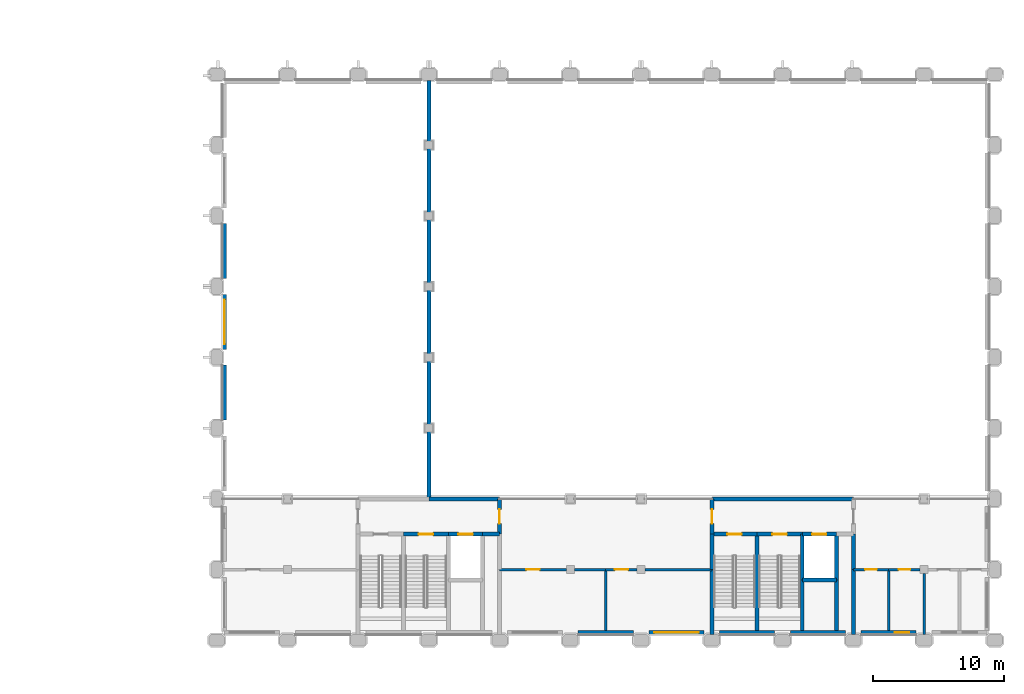
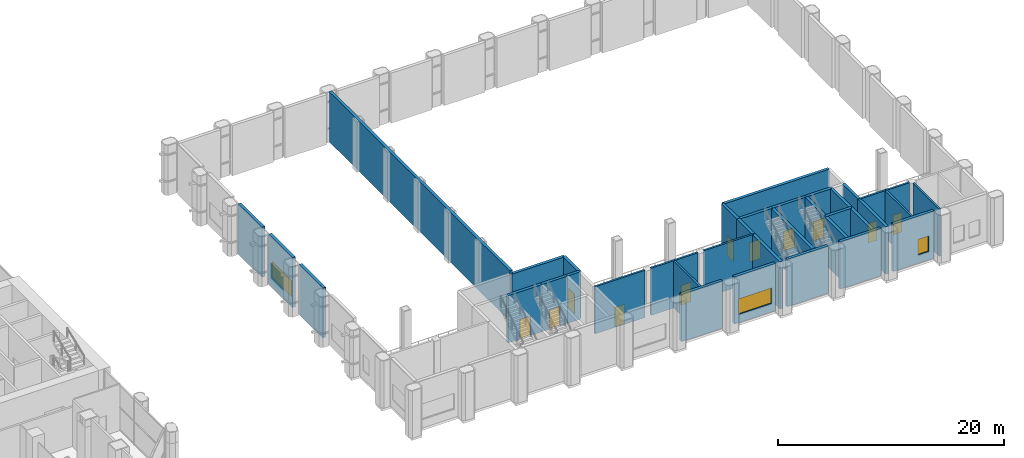
# One storey, part 15 of 27: 38 walls, 11 doors, 3 windows, 14 openings.
"""IFC4 building model written with IfcOpenShell, lengths in metres."""

from ifc_helpers import new_model, si_unit, direction, frame, frame_2d, origin, place, context, subcontext, project, spatial, rectangle, extrude, material, layer, layer_set, type_object, element, fill, save


model = new_model("IFC4")

# Units and contexts
model_context = context("Model", 3, precision=1e-05, world=origin(), true_north=direction((0.0, 1.0)))
body_context = subcontext(model_context, "Body", "Model", "MODEL_VIEW")
ifc_project = project(units=[si_unit("LENGTHUNIT", "METRE"), si_unit("AREAUNIT", "SQUARE_METRE"), si_unit("VOLUMEUNIT", "CUBIC_METRE"), si_unit("PLANEANGLEUNIT", "RADIAN"), si_unit("MASSUNIT", "GRAM", prefix="KILO")], contexts=[model_context])

# Site, building, storey
site_placement = place(None, origin())
site = spatial("IfcSite", under=ifc_project, at=site_placement, CompositionType="ELEMENT")
building_placement = place(site_placement, origin())
building = spatial("IfcBuilding", under=site, at=building_placement, Name="Tabaq Tower and Sports Hall", CompositionType="ELEMENT")
storey_placement = place(building_placement, frame((0.0, 0.0, 14.39990234375)))
storey = spatial("IfcBuildingStorey", under=building, at=storey_placement, Name="L02", CompositionType="ELEMENT", Elevation=14.39990234375)

# Wall, opening, door
ifc_material_1 = material(Name="Concrete C50/60", Category="concrete")
ifc_layer_1 = layer(ifc_material_1, 0.300048828125)
ifc_layer_set_1 = layer_set([ifc_layer_1], Name="HALL CORE WALL RC 300 C50/60")
wall_type_1 = type_object("IfcWallType", Name="HALL CORE WALL RC 300 C50/60", PredefinedType="SHEAR", material=ifc_layer_set_1)
wall_1_placement = place(storey_placement, frame((86.39990234375, 8.10009765625, 0.0), z_axis=(0.0, 0.0, 1.0), x_axis=(0.0, 1.0, 0.0)))
wall_1 = element("IfcWall", 1, at=wall_1_placement, inside=storey, type_object=wall_type_1, Name="L02 core wall 010", PredefinedType="SHEAR", context=body_context, shape_type="SweptSolid", body=[
    extrude(rectangle(XDim=2.699951171875, YDim=0.300048828125, at=frame_2d((1.35009765625, 0.0))), origin(), (0.0, 0.0, 1.0), 5.10009765625),
])
opening_1_placement = place(wall_1_placement, frame((0.800048828125, 0.0, 0.0)))
opening_1 = element("IfcOpeningElement", 2, at=opening_1_placement, cuts=wall_1, Name="Opening HD056", PredefinedType="OPENING", context=body_context, shape_type="SweptSolid", body=[
    extrude(rectangle(XDim=1.10009765625, YDim=2.10009765625, at=frame_2d((0.550048828125, 1.050048828125))), frame((0.0, 0.14990234375, 0.0), z_axis=(0.0, -1.0, 0.0), x_axis=(1.0, 0.0, 0.0)), (0.0, 0.0, 1.0), 0.300048828125),
])
ifc_material_2 = material(Name="Steel fire door leaf in steel frame", Category="steel")
door_type_1 = type_object("IfcDoorType", Name="HALL FIRE DOOR 1100x2100", OperationType="SINGLE_SWING_LEFT", PredefinedType="DOOR", material=ifc_material_2)
door_1_placement = place(opening_1_placement, origin())
door_1 = element("IfcDoor", 3, at=door_1_placement, inside=storey, type_object=door_type_1, Name="Door HD056", OperationType="SINGLE_SWING_LEFT", OverallHeight=2.10009765625, OverallWidth=1.10009765625, PredefinedType="DOOR", context=body_context, shape_type="SweptSolid", body=[
    extrude(rectangle(XDim=1.10009765625, YDim=2.10009765625, at=frame_2d((0.550048828125, 1.050048828125))), frame((0.0, 0.02490234375, 0.0), z_axis=(0.0, -1.0, 0.0), x_axis=(1.0, 0.0, 0.0)), (0.0, 0.0, 1.0), 0.050048828125),
])
fill(opening_1, door_1)

# Wall
wall_2_placement = place(storey_placement, frame((102.60009765625, 5.39990234375, 0.0), z_axis=(0.0, 0.0, 1.0), x_axis=(0.0, 1.0, 0.0)))
element("IfcWall", 4, at=wall_2_placement, inside=storey, type_object=wall_type_1, Name="L02 core wall 011", PredefinedType="SHEAR", context=body_context, shape_type="SweptSolid", body=[
    extrude(rectangle(XDim=2.7001953125, YDim=0.300048828125, at=frame_2d((1.35009765625, 0.0))), origin(), (0.0, 0.0, 1.0), 5.10009765625),
])

# Wall, opening, door
wall_3_placement = place(storey_placement, frame((102.60009765625, 8.10009765625, 0.0), z_axis=(0.0, 0.0, 1.0), x_axis=(0.0, 1.0, 0.0)))
wall_3 = element("IfcWall", 5, at=wall_3_placement, inside=storey, type_object=wall_type_1, Name="L02 core wall 012", PredefinedType="SHEAR", context=body_context, shape_type="SweptSolid", body=[
    extrude(rectangle(XDim=2.699951171875, YDim=0.300048828125, at=frame_2d((1.35009765625, 0.0))), origin(), (0.0, 0.0, 1.0), 5.10009765625),
])
opening_2_placement = place(wall_3_placement, frame((0.800048828125, 0.0, 0.0)))
opening_2 = element("IfcOpeningElement", 6, at=opening_2_placement, cuts=wall_3, Name="Opening HD057", PredefinedType="OPENING", context=body_context, shape_type="SweptSolid", body=[
    extrude(rectangle(XDim=1.10009765625, YDim=2.10009765625, at=frame_2d((0.550048828125, 1.050048828125))), frame((0.0, 0.14990234375, 0.0), z_axis=(0.0, -1.0, 0.0), x_axis=(1.0, 0.0, 0.0)), (0.0, 0.0, 1.0), 0.300048828125),
])
door_2_placement = place(opening_2_placement, origin())
door_2 = element("IfcDoor", 7, at=door_2_placement, inside=storey, type_object=door_type_1, Name="Door HD057", OperationType="SINGLE_SWING_LEFT", OverallHeight=2.10009765625, OverallWidth=1.10009765625, PredefinedType="DOOR", context=body_context, shape_type="SweptSolid", body=[
    extrude(rectangle(XDim=1.10009765625, YDim=2.10009765625, at=frame_2d((0.550048828125, 1.050048828125))), frame((0.0, 0.02490234375, 0.0), z_axis=(0.0, -1.0, 0.0), x_axis=(1.0, 0.0, 0.0)), (0.0, 0.0, 1.0), 0.050048828125),
])
fill(opening_2, door_2)

# Walls
wall_4_placement = place(storey_placement, frame((113.39990234375, 5.39990234375, 0.0), z_axis=(0.0, 0.0, 1.0), x_axis=(0.0, 1.0, 0.0)))
element("IfcWall", 8, at=wall_4_placement, inside=storey, type_object=wall_type_1, Name="L02 core wall 017", PredefinedType="SHEAR", context=body_context, shape_type="SweptSolid", body=[
    extrude(rectangle(XDim=2.7001953125, YDim=0.300048828125, at=frame_2d((1.35009765625, 0.0))), origin(), (0.0, 0.0, 1.0), 5.10009765625),
])
for number, where, z_axis, x_axis, name in (
    (9, (102.60009765625, 0.449951171875, 0.0), (0.0, 0.0, 1.0), (0.0, 1.0, 0.0), "L02 core wall 022"),
    (10, (113.39990234375, 0.449951171875, 0.0), (0.0, 0.0, 1.0), (0.0, 1.0, 0.0), "L02 core wall 024"),
):
    element("IfcWall", number, at=place(storey_placement, frame(where, z_axis=z_axis, x_axis=x_axis)), inside=storey, type_object=wall_type_1, Name=name, PredefinedType="SHEAR", context=body_context, shape_type="SweptSolid", body=[
        extrude(rectangle(XDim=4.949951171875, YDim=0.300048828125, at=frame_2d((2.47509765625, 0.0))), origin(), (0.0, 0.0, 1.0), 5.10009765625),
    ])

# Wall, opening, door
wall_5_placement = place(storey_placement, frame((79.050048828125, 8.10009765625, 0.0), z_axis=(0.0, 0.0, 1.0), x_axis=(1.0, 0.0, 0.0)))
wall_5 = element("IfcWall", 11, at=wall_5_placement, inside=storey, type_object=wall_type_1, Name="L02 core wall 031", PredefinedType="SHEAR", context=body_context, shape_type="SweptSolid", body=[
    extrude(rectangle(XDim=3.449951171875, YDim=0.300048828125, at=frame_2d((1.72509765625, 0.0))), origin(), (0.0, 0.0, 1.0), 5.10009765625),
])
opening_3_placement = place(wall_5_placement, frame((1.175048828125, 0.0, 0.0)))
opening_3 = element("IfcOpeningElement", 12, at=opening_3_placement, cuts=wall_5, Name="Opening HD067", PredefinedType="OPENING", context=body_context, shape_type="SweptSolid", body=[
    extrude(rectangle(XDim=1.10009765625, YDim=2.10009765625, at=frame_2d((0.550048828125, 1.050048828125))), frame((0.0, 0.14990234375, 0.0), z_axis=(0.0, -1.0, 0.0), x_axis=(1.0, 0.0, 0.0)), (0.0, 0.0, 1.0), 0.300048828125),
])
door_3_placement = place(opening_3_placement, origin())
door_3 = element("IfcDoor", 13, at=door_3_placement, inside=storey, type_object=door_type_1, Name="Door HD067", OperationType="SINGLE_SWING_LEFT", OverallHeight=2.10009765625, OverallWidth=1.10009765625, PredefinedType="DOOR", context=body_context, shape_type="SweptSolid", body=[
    extrude(rectangle(XDim=1.10009765625, YDim=2.10009765625, at=frame_2d((0.550048828125, 1.050048828125))), frame((0.0, 0.02490234375, 0.0), z_axis=(0.0, -1.0, 0.0), x_axis=(1.0, 0.0, 0.0)), (0.0, 0.0, 1.0), 0.050048828125),
])
fill(opening_3, door_3)

wall_6_placement = place(storey_placement, frame((82.5, 8.10009765625, 0.0), z_axis=(0.0, 0.0, 1.0), x_axis=(1.0, 0.0, 0.0)))
wall_6 = element("IfcWall", 14, at=wall_6_placement, inside=storey, type_object=wall_type_1, Name="L02 core wall 034", PredefinedType="SHEAR", context=body_context, shape_type="SweptSolid", body=[
    extrude(rectangle(XDim=2.60009765625, YDim=0.300048828125, at=frame_2d((1.300048828125, 0.0))), origin(), (0.0, 0.0, 1.0), 5.10009765625),
])
opening_4_placement = place(wall_6_placement, frame((0.75, 0.0, 0.0)))
opening_4 = element("IfcOpeningElement", 15, at=opening_4_placement, cuts=wall_6, Name="Opening LDA-L02", PredefinedType="OPENING", context=body_context, shape_type="SweptSolid", body=[
    extrude(rectangle(XDim=1.10009765625, YDim=2.10009765625, at=frame_2d((0.550048828125, 1.050048828125))), frame((0.0, 0.14990234375, 0.0), z_axis=(0.0, -1.0, 0.0), x_axis=(1.0, 0.0, 0.0)), (0.0, 0.0, 1.0), 0.300048828125),
])
ifc_material_3 = material(Name="Stainless steel landing door panels", Category="steel")
door_type_2 = type_object("IfcDoorType", Name="HALL LIFT LANDING DOOR 1100x2100", OperationType="SLIDING_TO_LEFT", PredefinedType="DOOR", material=ifc_material_3)
door_4_placement = place(opening_4_placement, origin())
door_4 = element("IfcDoor", 16, at=door_4_placement, inside=storey, type_object=door_type_2, Name="Door LDA-L02", OperationType="SLIDING_TO_LEFT", OverallHeight=2.10009765625, OverallWidth=1.10009765625, PredefinedType="DOOR", context=body_context, shape_type="SweptSolid", body=[
    extrude(rectangle(XDim=1.10009765625, YDim=2.10009765625, at=frame_2d((0.550048828125, 1.050048828125))), frame((0.0, 0.02490234375, 0.0), z_axis=(0.0, -1.0, 0.0), x_axis=(1.0, 0.0, 0.0)), (0.0, 0.0, 1.0), 0.050048828125),
])
fill(opening_4, door_4)

# Walls
wall_7_placement = place(storey_placement, frame((85.10009765625, 8.10009765625, 0.0), z_axis=(0.0, 0.0, 1.0), x_axis=(1.0, 0.0, 0.0)))
element("IfcWall", 17, at=wall_7_placement, inside=storey, type_object=wall_type_1, Name="L02 core wall 036", PredefinedType="SHEAR", context=body_context, shape_type="SweptSolid", body=[
    extrude(rectangle(XDim=1.2998046875, YDim=0.300048828125, at=frame_2d((0.64990234375, 0.0))), origin(), (0.0, 0.0, 1.0), 5.10009765625),
])
wall_8_placement = place(storey_placement, frame((81.0, 10.800048828125, 0.0), z_axis=(0.0, 0.0, 1.0), x_axis=(1.0, 0.0, 0.0)))
element("IfcWall", 18, at=wall_8_placement, inside=storey, type_object=wall_type_1, Name="L02 core wall 037", PredefinedType="SHEAR", context=body_context, shape_type="SweptSolid", body=[
    extrude(rectangle(XDim=5.39990234375, YDim=0.300048828125, at=frame_2d((2.699951171875, 0.0))), origin(), (0.0, 0.0, 1.0), 5.10009765625),
])
wall_9_placement = place(storey_placement, frame((106.050048828125, 0.75, 0.0), z_axis=(0.0, 0.0, 1.0), x_axis=(0.0, 1.0, 0.0)))
element("IfcWall", 19, at=wall_9_placement, inside=storey, type_object=wall_type_1, Name="L02 core wall 039", PredefinedType="SHEAR", context=body_context, shape_type="SweptSolid", body=[
    extrude(rectangle(XDim=7.35009765625, YDim=0.300048828125, at=frame_2d((3.675048828125, 0.0))), origin(), (0.0, 0.0, 1.0), 5.10009765625),
])

# Wall, opening, door
wall_10_placement = place(storey_placement, frame((102.60009765625, 8.10009765625, 0.0), z_axis=(0.0, 0.0, 1.0), x_axis=(1.0, 0.0, 0.0)))
wall_10 = element("IfcWall", 20, at=wall_10_placement, inside=storey, type_object=wall_type_1, Name="L02 core wall 040", PredefinedType="SHEAR", context=body_context, shape_type="SweptSolid", body=[
    extrude(rectangle(XDim=3.449951171875, YDim=0.300048828125, at=frame_2d((1.72509765625, 0.0))), origin(), (0.0, 0.0, 1.0), 5.10009765625),
])
opening_5_placement = place(wall_10_placement, frame((1.175048828125, 0.0, 0.0)))
opening_5 = element("IfcOpeningElement", 21, at=opening_5_placement, cuts=wall_10, Name="Opening HD068", PredefinedType="OPENING", context=body_context, shape_type="SweptSolid", body=[
    extrude(rectangle(XDim=1.10009765625, YDim=2.10009765625, at=frame_2d((0.550048828125, 1.050048828125))), frame((0.0, 0.14990234375, 0.0), z_axis=(0.0, -1.0, 0.0), x_axis=(1.0, 0.0, 0.0)), (0.0, 0.0, 1.0), 0.300048828125),
])
door_5_placement = place(opening_5_placement, origin())
door_5 = element("IfcDoor", 22, at=door_5_placement, inside=storey, type_object=door_type_1, Name="Door HD068", OperationType="SINGLE_SWING_LEFT", OverallHeight=2.10009765625, OverallWidth=1.10009765625, PredefinedType="DOOR", context=body_context, shape_type="SweptSolid", body=[
    extrude(rectangle(XDim=1.10009765625, YDim=2.10009765625, at=frame_2d((0.550048828125, 1.050048828125))), frame((0.0, 0.02490234375, 0.0), z_axis=(0.0, -1.0, 0.0), x_axis=(1.0, 0.0, 0.0)), (0.0, 0.0, 1.0), 0.050048828125),
])
fill(opening_5, door_5)

# Walls
wall_11_placement = place(storey_placement, frame((109.5, 4.60009765625, 0.0), z_axis=(0.0, 0.0, 1.0), x_axis=(0.0, 1.0, 0.0)))
element("IfcWall", 23, at=wall_11_placement, inside=storey, type_object=wall_type_1, Name="L02 core wall 041", PredefinedType="SHEAR", context=body_context, shape_type="SweptSolid", body=[
    extrude(rectangle(XDim=3.5, YDim=0.300048828125, at=frame_2d((1.75, 0.0))), origin(), (0.0, 0.0, 1.0), 5.10009765625),
])
wall_12_placement = place(storey_placement, frame((109.5, 0.75, 0.0), z_axis=(0.0, 0.0, 1.0), x_axis=(0.0, 1.0, 0.0)))
element("IfcWall", 24, at=wall_12_placement, inside=storey, type_object=wall_type_1, Name="L02 core wall 042", PredefinedType="SHEAR", context=body_context, shape_type="SweptSolid", body=[
    extrude(rectangle(XDim=3.85009765625, YDim=0.300048828125, at=frame_2d((1.925048828125, 0.0))), origin(), (0.0, 0.0, 1.0), 5.10009765625),
])

# Wall, opening, door
wall_13_placement = place(storey_placement, frame((106.050048828125, 8.10009765625, 0.0), z_axis=(0.0, 0.0, 1.0), x_axis=(1.0, 0.0, 0.0)))
wall_13 = element("IfcWall", 25, at=wall_13_placement, inside=storey, type_object=wall_type_1, Name="L02 core wall 043", PredefinedType="SHEAR", context=body_context, shape_type="SweptSolid", body=[
    extrude(rectangle(XDim=3.449951171875, YDim=0.300048828125, at=frame_2d((1.72509765625, 0.0))), origin(), (0.0, 0.0, 1.0), 5.10009765625),
])
opening_6_placement = place(wall_13_placement, frame((1.175048828125, 0.0, 0.0)))
opening_6 = element("IfcOpeningElement", 26, at=opening_6_placement, cuts=wall_13, Name="Opening HD069", PredefinedType="OPENING", context=body_context, shape_type="SweptSolid", body=[
    extrude(rectangle(XDim=1.10009765625, YDim=2.10009765625, at=frame_2d((0.550048828125, 1.050048828125))), frame((0.0, 0.14990234375, 0.0), z_axis=(0.0, -1.0, 0.0), x_axis=(1.0, 0.0, 0.0)), (0.0, 0.0, 1.0), 0.300048828125),
])
door_6_placement = place(opening_6_placement, origin())
door_6 = element("IfcDoor", 27, at=door_6_placement, inside=storey, type_object=door_type_1, Name="Door HD069", OperationType="SINGLE_SWING_LEFT", OverallHeight=2.10009765625, OverallWidth=1.10009765625, PredefinedType="DOOR", context=body_context, shape_type="SweptSolid", body=[
    extrude(rectangle(XDim=1.10009765625, YDim=2.10009765625, at=frame_2d((0.550048828125, 1.050048828125))), frame((0.0, 0.02490234375, 0.0), z_axis=(0.0, -1.0, 0.0), x_axis=(1.0, 0.0, 0.0)), (0.0, 0.0, 1.0), 0.050048828125),
])
fill(opening_6, door_6)

# Walls
wall_14_placement = place(storey_placement, frame((109.5, 4.60009765625, 0.0), z_axis=(0.0, 0.0, 1.0), x_axis=(1.0, 0.0, 0.0)))
element("IfcWall", 28, at=wall_14_placement, inside=storey, type_object=wall_type_1, Name="L02 core wall 044", PredefinedType="SHEAR", context=body_context, shape_type="SweptSolid", body=[
    extrude(rectangle(XDim=2.60009765625, YDim=0.300048828125, at=frame_2d((1.300048828125, 0.0))), origin(), (0.0, 0.0, 1.0), 5.10009765625),
])
wall_15_placement = place(storey_placement, frame((112.10009765625, 4.60009765625, 0.0), z_axis=(0.0, 0.0, 1.0), x_axis=(0.0, 1.0, 0.0)))
element("IfcWall", 29, at=wall_15_placement, inside=storey, type_object=wall_type_1, Name="L02 core wall 045", PredefinedType="SHEAR", context=body_context, shape_type="SweptSolid", body=[
    extrude(rectangle(XDim=3.5, YDim=0.300048828125, at=frame_2d((1.75, 0.0))), origin(), (0.0, 0.0, 1.0), 5.10009765625),
])

# Wall, opening, door
wall_16_placement = place(storey_placement, frame((109.5, 8.10009765625, 0.0), z_axis=(0.0, 0.0, 1.0), x_axis=(1.0, 0.0, 0.0)))
wall_16 = element("IfcWall", 30, at=wall_16_placement, inside=storey, type_object=wall_type_1, Name="L02 core wall 046", PredefinedType="SHEAR", context=body_context, shape_type="SweptSolid", body=[
    extrude(rectangle(XDim=2.60009765625, YDim=0.300048828125, at=frame_2d((1.300048828125, 0.0))), origin(), (0.0, 0.0, 1.0), 5.10009765625),
])
opening_7_placement = place(wall_16_placement, frame((0.75, 0.0, 0.0)))
opening_7 = element("IfcOpeningElement", 31, at=opening_7_placement, cuts=wall_16, Name="Opening LDB-L02", PredefinedType="OPENING", context=body_context, shape_type="SweptSolid", body=[
    extrude(rectangle(XDim=1.10009765625, YDim=2.10009765625, at=frame_2d((0.550048828125, 1.050048828125))), frame((0.0, 0.14990234375, 0.0), z_axis=(0.0, -1.0, 0.0), x_axis=(1.0, 0.0, 0.0)), (0.0, 0.0, 1.0), 0.300048828125),
])
door_7_placement = place(opening_7_placement, origin())
door_7 = element("IfcDoor", 32, at=door_7_placement, inside=storey, type_object=door_type_2, Name="Door LDB-L02", OperationType="SLIDING_TO_LEFT", OverallHeight=2.10009765625, OverallWidth=1.10009765625, PredefinedType="DOOR", context=body_context, shape_type="SweptSolid", body=[
    extrude(rectangle(XDim=1.10009765625, YDim=2.10009765625, at=frame_2d((0.550048828125, 1.050048828125))), frame((0.0, 0.02490234375, 0.0), z_axis=(0.0, -1.0, 0.0), x_axis=(1.0, 0.0, 0.0)), (0.0, 0.0, 1.0), 0.050048828125),
])
fill(opening_7, door_7)

# Walls
wall_17_placement = place(storey_placement, frame((112.10009765625, 0.75, 0.0), z_axis=(0.0, 0.0, 1.0), x_axis=(0.0, 1.0, 0.0)))
element("IfcWall", 33, at=wall_17_placement, inside=storey, type_object=wall_type_1, Name="L02 core wall 047", PredefinedType="SHEAR", context=body_context, shape_type="SweptSolid", body=[
    extrude(rectangle(XDim=3.85009765625, YDim=0.300048828125, at=frame_2d((1.925048828125, 0.0))), origin(), (0.0, 0.0, 1.0), 5.10009765625),
])
wall_18_placement = place(storey_placement, frame((102.60009765625, 10.800048828125, 0.0), z_axis=(0.0, 0.0, 1.0), x_axis=(1.0, 0.0, 0.0)))
element("IfcWall", 34, at=wall_18_placement, inside=storey, type_object=wall_type_1, Name="L02 core wall 049", PredefinedType="SHEAR", context=body_context, shape_type="SweptSolid", body=[
    extrude(rectangle(XDim=10.7998046875, YDim=0.300048828125, at=frame_2d((5.39990234375, 0.0))), origin(), (0.0, 0.0, 1.0), 5.10009765625),
])
wall_19_placement = place(storey_placement, frame((81.0, 10.800048828125, 0.0), z_axis=(0.0, 0.0, 1.0), x_axis=(0.0, 1.0, 0.0)))
element("IfcWall", 35, at=wall_19_placement, inside=storey, type_object=wall_type_1, Name="L02 partition 050", PredefinedType="SHEAR", context=body_context, shape_type="SweptSolid", body=[
    extrude(rectangle(XDim=31.949951171875, YDim=0.300048828125, at=frame_2d((15.97509765625, 0.0))), origin(), (0.0, 0.0, 1.0), 5.400146484375),
])

# Wall, opening, door
ifc_material_4 = material(Name="Blockwork partition with plaster both faces", Category="masonry")
ifc_layer_2 = layer(ifc_material_4, 0.199951171875)
ifc_layer_set_2 = layer_set([ifc_layer_2], Name="HALL PARTITION 200")
wall_type_2 = type_object("IfcWallType", Name="HALL PARTITION 200", PredefinedType="PARTITIONING", material=ifc_layer_set_2)
wall_20_placement = place(storey_placement, frame((86.39990234375, 5.39990234375, 0.0), z_axis=(0.0, 0.0, 1.0), x_axis=(1.0, 0.0, 0.0)))
wall_20 = element("IfcWall", 36, at=wall_20_placement, inside=storey, type_object=wall_type_2, Name="L02 partition 005", PredefinedType="PARTITIONING", context=body_context, shape_type="SweptSolid", body=[
    extrude(rectangle(XDim=5.10009765625, YDim=0.199951171875, at=frame_2d((2.550048828125, 0.0))), origin(), (0.0, 0.0, 1.0), 5.10009765625),
])
opening_8_placement = place(wall_20_placement, frame((2.050048828125, 0.0, 0.0)))
opening_8 = element("IfcOpeningElement", 37, at=opening_8_placement, cuts=wall_20, Name="Opening HD060", PredefinedType="OPENING", context=body_context, shape_type="SweptSolid", body=[
    extrude(rectangle(XDim=1.0, YDim=2.10009765625, at=frame_2d((0.5, 1.050048828125))), frame((0.0, 0.10009765625, 0.0), z_axis=(0.0, -1.0, 0.0), x_axis=(1.0, 0.0, 0.0)), (0.0, 0.0, 1.0), 0.199951171875),
])
ifc_material_5 = material(Name="Timber veneer door leaf in steel frame", Category="steel")
door_type_3 = type_object("IfcDoorType", Name="HALL DOOR SINGLE 1000x2100", OperationType="SINGLE_SWING_LEFT", PredefinedType="DOOR", material=ifc_material_5)
door_8_placement = place(opening_8_placement, origin())
door_8 = element("IfcDoor", 38, at=door_8_placement, inside=storey, type_object=door_type_3, Name="Door HD060", OperationType="SINGLE_SWING_LEFT", OverallHeight=2.10009765625, OverallWidth=1.0, PredefinedType="DOOR", context=body_context, shape_type="SweptSolid", body=[
    extrude(rectangle(XDim=1.0, YDim=2.10009765625, at=frame_2d((0.5, 1.050048828125))), frame((0.0, 0.02490234375, 0.0), z_axis=(0.0, -1.0, 0.0), x_axis=(1.0, 0.0, 0.0)), (0.0, 0.0, 1.0), 0.050048828125),
])
fill(opening_8, door_8)

# Wall
wall_21_placement = place(storey_placement, frame((92.10009765625, 5.39990234375, 0.0), z_axis=(0.0, 0.0, 1.0), x_axis=(1.0, 0.0, 0.0)))
element("IfcWall", 39, at=wall_21_placement, inside=storey, type_object=wall_type_2, Name="L02 partition 006", PredefinedType="PARTITIONING", context=body_context, shape_type="SweptSolid", body=[
    extrude(rectangle(XDim=2.39990234375, YDim=0.199951171875, at=frame_2d((1.199951171875, 0.0))), origin(), (0.0, 0.0, 1.0), 5.10009765625),
])

# Wall, opening, door
wall_22_placement = place(storey_placement, frame((94.5, 5.39990234375, 0.0), z_axis=(0.0, 0.0, 1.0), x_axis=(1.0, 0.0, 0.0)))
wall_22 = element("IfcWall", 40, at=wall_22_placement, inside=storey, type_object=wall_type_2, Name="L02 partition 007", PredefinedType="PARTITIONING", context=body_context, shape_type="SweptSolid", body=[
    extrude(rectangle(XDim=2.39990234375, YDim=0.199951171875, at=frame_2d((1.199951171875, 0.0))), origin(), (0.0, 0.0, 1.0), 5.10009765625),
])
opening_9_placement = place(wall_22_placement, frame((0.699951171875, 0.0, 0.0)))
opening_9 = element("IfcOpeningElement", 41, at=opening_9_placement, cuts=wall_22, Name="Opening HD061", PredefinedType="OPENING", context=body_context, shape_type="SweptSolid", body=[
    extrude(rectangle(XDim=1.0, YDim=2.10009765625, at=frame_2d((0.5, 1.050048828125))), frame((0.0, 0.10009765625, 0.0), z_axis=(0.0, -1.0, 0.0), x_axis=(1.0, 0.0, 0.0)), (0.0, 0.0, 1.0), 0.199951171875),
])
door_9_placement = place(opening_9_placement, origin())
door_9 = element("IfcDoor", 42, at=door_9_placement, inside=storey, type_object=door_type_3, Name="Door HD061", OperationType="SINGLE_SWING_LEFT", OverallHeight=2.10009765625, OverallWidth=1.0, PredefinedType="DOOR", context=body_context, shape_type="SweptSolid", body=[
    extrude(rectangle(XDim=1.0, YDim=2.10009765625, at=frame_2d((0.5, 1.050048828125))), frame((0.0, 0.02490234375, 0.0), z_axis=(0.0, -1.0, 0.0), x_axis=(1.0, 0.0, 0.0)), (0.0, 0.0, 1.0), 0.050048828125),
])
fill(opening_9, door_9)

# Wall
wall_23_placement = place(storey_placement, frame((97.5, 5.39990234375, 0.0), z_axis=(0.0, 0.0, 1.0), x_axis=(1.0, 0.0, 0.0)))
element("IfcWall", 43, at=wall_23_placement, inside=storey, type_object=wall_type_2, Name="L02 partition 008", PredefinedType="PARTITIONING", context=body_context, shape_type="SweptSolid", body=[
    extrude(rectangle(XDim=5.10009765625, YDim=0.199951171875, at=frame_2d((2.550048828125, 0.0))), origin(), (0.0, 0.0, 1.0), 5.10009765625),
])

# Wall, opening, door
wall_24_placement = place(storey_placement, frame((113.39990234375, 5.39990234375, 0.0), z_axis=(0.0, 0.0, 1.0), x_axis=(1.0, 0.0, 0.0)))
wall_24 = element("IfcWall", 44, at=wall_24_placement, inside=storey, type_object=wall_type_2, Name="L02 partition 013", PredefinedType="PARTITIONING", context=body_context, shape_type="SweptSolid", body=[
    extrude(rectangle(XDim=2.7001953125, YDim=0.199951171875, at=frame_2d((1.35009765625, 0.0))), origin(), (0.0, 0.0, 1.0), 5.10009765625),
])
opening_10_placement = place(wall_24_placement, frame((0.89990234375, 0.0, 0.0)))
opening_10 = element("IfcOpeningElement", 45, at=opening_10_placement, cuts=wall_24, Name="Opening HD062", PredefinedType="OPENING", context=body_context, shape_type="SweptSolid", body=[
    extrude(rectangle(XDim=0.89990234375, YDim=2.10009765625, at=frame_2d((0.449951171875, 1.050048828125))), frame((0.0, 0.10009765625, 0.0), z_axis=(0.0, -1.0, 0.0), x_axis=(1.0, 0.0, 0.0)), (0.0, 0.0, 1.0), 0.199951171875),
])
ifc_material_6 = material(Name="Timber veneer door leaf in steel frame", Category="steel")
door_type_4 = type_object("IfcDoorType", Name="HALL DOOR SINGLE 900x2100", OperationType="SINGLE_SWING_LEFT", PredefinedType="DOOR", material=ifc_material_6)
door_10_placement = place(opening_10_placement, origin())
door_10 = element("IfcDoor", 46, at=door_10_placement, inside=storey, type_object=door_type_4, Name="Door HD062", OperationType="SINGLE_SWING_LEFT", OverallHeight=2.10009765625, OverallWidth=0.89990234375, PredefinedType="DOOR", context=body_context, shape_type="SweptSolid", body=[
    extrude(rectangle(XDim=0.89990234375, YDim=2.10009765625, at=frame_2d((0.449951171875, 1.050048828125))), frame((0.0, 0.02490234375, 0.0), z_axis=(0.0, -1.0, 0.0), x_axis=(1.0, 0.0, 0.0)), (0.0, 0.0, 1.0), 0.050048828125),
])
fill(opening_10, door_10)

wall_25_placement = place(storey_placement, frame((116.10009765625, 5.39990234375, 0.0), z_axis=(0.0, 0.0, 1.0), x_axis=(1.0, 0.0, 0.0)))
wall_25 = element("IfcWall", 47, at=wall_25_placement, inside=storey, type_object=wall_type_2, Name="L02 partition 014", PredefinedType="PARTITIONING", context=body_context, shape_type="SweptSolid", body=[
    extrude(rectangle(XDim=2.39990234375, YDim=0.199951171875, at=frame_2d((1.199951171875, 0.0))), origin(), (0.0, 0.0, 1.0), 5.10009765625),
])
opening_11_placement = place(wall_25_placement, frame((0.75, 0.0, 0.0)))
opening_11 = element("IfcOpeningElement", 48, at=opening_11_placement, cuts=wall_25, Name="Opening HD063", PredefinedType="OPENING", context=body_context, shape_type="SweptSolid", body=[
    extrude(rectangle(XDim=0.89990234375, YDim=2.10009765625, at=frame_2d((0.449951171875, 1.050048828125))), frame((0.0, 0.10009765625, 0.0), z_axis=(0.0, -1.0, 0.0), x_axis=(1.0, 0.0, 0.0)), (0.0, 0.0, 1.0), 0.199951171875),
])
door_11_placement = place(opening_11_placement, origin())
door_11 = element("IfcDoor", 49, at=door_11_placement, inside=storey, type_object=door_type_4, Name="Door HD063", OperationType="SINGLE_SWING_LEFT", OverallHeight=2.10009765625, OverallWidth=0.89990234375, PredefinedType="DOOR", context=body_context, shape_type="SweptSolid", body=[
    extrude(rectangle(XDim=0.89990234375, YDim=2.10009765625, at=frame_2d((0.449951171875, 1.050048828125))), frame((0.0, 0.02490234375, 0.0), z_axis=(0.0, -1.0, 0.0), x_axis=(1.0, 0.0, 0.0)), (0.0, 0.0, 1.0), 0.050048828125),
])
fill(opening_11, door_11)

# Walls
for number, where, z_axis, x_axis, name in (
    (50, (94.5, 0.75, 0.0), (0.0, 0.0, 1.0), (0.0, 1.0, 0.0), "L02 partition 020"),
    (51, (116.10009765625, 0.75, 0.0), (0.0, 0.0, 1.0), (0.0, 1.0, 0.0), "L02 partition 023"),
):
    element("IfcWall", number, at=place(storey_placement, frame(where, z_axis=z_axis, x_axis=x_axis)), inside=storey, type_object=wall_type_2, Name=name, PredefinedType="PARTITIONING", context=body_context, shape_type="SweptSolid", body=[
        extrude(rectangle(XDim=4.64990234375, YDim=0.199951171875, at=frame_2d((2.324951171875, 0.0))), origin(), (0.0, 0.0, 1.0), 5.10009765625),
    ])
wall_26_placement = place(storey_placement, frame((118.800048828125, 0.449951171875, 0.0), z_axis=(0.0, 0.0, 1.0), x_axis=(0.0, 1.0, 0.0)))
element("IfcWall", 52, at=wall_26_placement, inside=storey, type_object=wall_type_2, Name="L02 partition 025", PredefinedType="PARTITIONING", context=body_context, shape_type="SweptSolid", body=[
    extrude(rectangle(XDim=4.650146484375, YDim=0.199951171875, at=frame_2d((2.3251953125, 0.0))), origin(), (0.0, 0.0, 1.0), 5.10009765625),
])
ifc_material_7 = material(Name="White precast concrete C60/75", Category="concrete")
ifc_layer_3 = layer(ifc_material_7, 0.300048828125)
ifc_layer_set_3 = layer_set([ifc_layer_3], Name="White precast concrete C60/75 external wall 300")
wall_type_3 = type_object("IfcWallType", Name="White precast concrete C60/75 external wall 300", PredefinedType="SOLIDWALL", material=ifc_layer_set_3)
wall_27_placement = place(storey_placement, frame((92.39990234375, 0.60009765625, 0.0), z_axis=(0.0, 0.0, 1.0), x_axis=(1.0, 0.0, 0.0)))
element("IfcWall", 53, at=wall_27_placement, inside=storey, type_object=wall_type_3, Name="L02 S facade panel", PredefinedType="SOLIDWALL", context=body_context, shape_type="SweptSolid", body=[
    extrude(rectangle(XDim=4.2001953125, YDim=0.300048828125, at=frame_2d((2.10009765625, 0.0))), origin(), (0.0, 0.0, 1.0), 5.10009765625),
])

# Wall, opening, window
wall_28_placement = place(storey_placement, frame((97.800048828125, 0.60009765625, 0.0), z_axis=(0.0, 0.0, 1.0), x_axis=(1.0, 0.0, 0.0)))
wall_28 = element("IfcWall", 54, at=wall_28_placement, inside=storey, type_object=wall_type_3, Name="L02 S facade panel", PredefinedType="SOLIDWALL", context=body_context, shape_type="SweptSolid", body=[
    extrude(rectangle(XDim=4.199951171875, YDim=0.300048828125, at=frame_2d((2.10009765625, 0.0))), origin(), (0.0, 0.0, 1.0), 5.10009765625),
])
opening_12_placement = place(wall_28_placement, frame((0.39990234375, 0.0, 0.89990234375)))
opening_12 = element("IfcOpeningElement", 55, at=opening_12_placement, cuts=wall_28, Name="Opening HW011", PredefinedType="OPENING", context=body_context, shape_type="SweptSolid", body=[
    extrude(rectangle(XDim=3.39990234375, YDim=1.699951171875, at=frame_2d((1.699951171875, 0.85009765625))), frame((0.0, 0.14990234375, 0.0), z_axis=(0.0, -1.0, 0.0), x_axis=(1.0, 0.0, 0.0)), (0.0, 0.0, 1.0), 0.300048828125),
])
ifc_material_8 = material(Name="Aluminium framed clear glazing", Category="aluminium")
window_type_1 = type_object("IfcWindowType", Name="Window W1A", PartitioningType="SINGLE_PANEL", PredefinedType="WINDOW", material=ifc_material_8)
window_1_placement = place(opening_12_placement, origin())
window_1 = element("IfcWindow", 56, at=window_1_placement, inside=storey, type_object=window_type_1, Name="Window HW011", OverallHeight=1.699951171875, OverallWidth=3.39990234375, PartitioningType="SINGLE_PANEL", PredefinedType="WINDOW", context=body_context, shape_type="SweptSolid", body=[
    extrude(rectangle(XDim=3.39990234375, YDim=1.699951171875, at=frame_2d((1.699951171875, 0.85009765625))), frame((0.0, 0.030029296875, 0.0), z_axis=(0.0, -1.0, 0.0), x_axis=(1.0, 0.0, 0.0)), (0.0, 0.0, 1.0), 0.06005859375),
])
fill(opening_12, window_1)

# Walls
for number, where, z_axis, x_axis, name in (
    (57, (103.199951171875, 0.60009765625, 0.0), (0.0, 0.0, 1.0), (1.0, 0.0, 0.0), "L02 S facade panel"),
    (58, (108.60009765625, 0.60009765625, 0.0), (0.0, 0.0, 1.0), (1.0, 0.0, 0.0), "L02 S facade panel"),
):
    element("IfcWall", number, at=place(storey_placement, frame(where, z_axis=z_axis, x_axis=x_axis)), inside=storey, type_object=wall_type_3, Name=name, PredefinedType="SOLIDWALL", context=body_context, shape_type="SweptSolid", body=[
        extrude(rectangle(XDim=4.199951171875, YDim=0.300048828125, at=frame_2d((2.10009765625, 0.0))), origin(), (0.0, 0.0, 1.0), 5.10009765625),
    ])

# Wall, opening, window
wall_29_placement = place(storey_placement, frame((114.0, 0.60009765625, 0.0), z_axis=(0.0, 0.0, 1.0), x_axis=(1.0, 0.0, 0.0)))
wall_29 = element("IfcWall", 59, at=wall_29_placement, inside=storey, type_object=wall_type_3, Name="L02 S facade panel", PredefinedType="SOLIDWALL", context=body_context, shape_type="SweptSolid", body=[
    extrude(rectangle(XDim=4.199951171875, YDim=0.300048828125, at=frame_2d((2.10009765625, 0.0))), origin(), (0.0, 0.0, 1.0), 5.10009765625),
])
opening_13_placement = place(wall_29_placement, frame((2.550048828125, 0.0, 0.89990234375)))
opening_13 = element("IfcOpeningElement", 60, at=opening_13_placement, cuts=wall_29, Name="Opening HW016", PredefinedType="OPENING", context=body_context, shape_type="SweptSolid", body=[
    extrude(rectangle(XDim=1.10009765625, YDim=1.699951171875, at=frame_2d((0.550048828125, 0.85009765625))), frame((0.0, 0.14990234375, 0.0), z_axis=(0.0, -1.0, 0.0), x_axis=(1.0, 0.0, 0.0)), (0.0, 0.0, 1.0), 0.300048828125),
])
ifc_material_9 = material(Name="Aluminium framed clear glazing", Category="aluminium")
window_type_2 = type_object("IfcWindowType", Name="Window W1B", PartitioningType="SINGLE_PANEL", PredefinedType="WINDOW", material=ifc_material_9)
window_2_placement = place(opening_13_placement, origin())
window_2 = element("IfcWindow", 61, at=window_2_placement, inside=storey, type_object=window_type_2, Name="Window HW016", OverallHeight=1.699951171875, OverallWidth=1.10009765625, PartitioningType="SINGLE_PANEL", PredefinedType="WINDOW", context=body_context, shape_type="SweptSolid", body=[
    extrude(rectangle(XDim=1.10009765625, YDim=1.699951171875, at=frame_2d((0.550048828125, 0.85009765625))), frame((0.0, 0.030029296875, 0.0), z_axis=(0.0, -1.0, 0.0), x_axis=(1.0, 0.0, 0.0)), (0.0, 0.0, 1.0), 0.06005859375),
])
fill(opening_13, window_2)

# Wall
wall_30_placement = place(storey_placement, frame((65.39990234375, 16.800048828125, 0.0), z_axis=(0.0, 0.0, 1.0), x_axis=(0.0, 1.0, 0.0)))
element("IfcWall", 62, at=wall_30_placement, inside=storey, type_object=wall_type_3, Name="L02 W facade panel", PredefinedType="SOLIDWALL", context=body_context, shape_type="SweptSolid", body=[
    extrude(rectangle(XDim=4.199951171875, YDim=0.300048828125, at=frame_2d((2.10009765625, 0.0))), origin(), (0.0, 0.0, 1.0), 5.400146484375),
])

# Wall, opening, window
wall_31_placement = place(storey_placement, frame((65.39990234375, 22.199951171875, 0.0), z_axis=(0.0, 0.0, 1.0), x_axis=(0.0, 1.0, 0.0)))
wall_31 = element("IfcWall", 63, at=wall_31_placement, inside=storey, type_object=wall_type_3, Name="L02 W facade panel", PredefinedType="SOLIDWALL", context=body_context, shape_type="SweptSolid", body=[
    extrude(rectangle(XDim=4.199951171875, YDim=0.300048828125, at=frame_2d((2.10009765625, 0.0))), origin(), (0.0, 0.0, 1.0), 5.400146484375),
])
opening_14_placement = place(wall_31_placement, frame((0.39990234375, 0.0, 0.89990234375)))
opening_14 = element("IfcOpeningElement", 64, at=opening_14_placement, cuts=wall_31, Name="Opening HW034", PredefinedType="OPENING", context=body_context, shape_type="SweptSolid", body=[
    extrude(rectangle(XDim=3.39990234375, YDim=1.699951171875, at=frame_2d((1.699951171875, 0.85009765625))), frame((0.0, 0.14990234375, 0.0), z_axis=(0.0, -1.0, 0.0), x_axis=(1.0, 0.0, 0.0)), (0.0, 0.0, 1.0), 0.300048828125),
])
window_3_placement = place(opening_14_placement, origin())
window_3 = element("IfcWindow", 65, at=window_3_placement, inside=storey, type_object=window_type_1, Name="Window HW034", OverallHeight=1.699951171875, OverallWidth=3.39990234375, PartitioningType="SINGLE_PANEL", PredefinedType="WINDOW", context=body_context, shape_type="SweptSolid", body=[
    extrude(rectangle(XDim=3.39990234375, YDim=1.699951171875, at=frame_2d((1.699951171875, 0.85009765625))), frame((0.0, 0.030029296875, 0.0), z_axis=(0.0, -1.0, 0.0), x_axis=(1.0, 0.0, 0.0)), (0.0, 0.0, 1.0), 0.06005859375),
])
fill(opening_14, window_3)

# Wall
wall_32_placement = place(storey_placement, frame((65.39990234375, 27.60009765625, 0.0), z_axis=(0.0, 0.0, 1.0), x_axis=(0.0, 1.0, 0.0)))
element("IfcWall", 66, at=wall_32_placement, inside=storey, type_object=wall_type_3, Name="L02 W facade panel", PredefinedType="SOLIDWALL", context=body_context, shape_type="SweptSolid", body=[
    extrude(rectangle(XDim=4.199951171875, YDim=0.300048828125, at=frame_2d((2.10009765625, 0.0))), origin(), (0.0, 0.0, 1.0), 5.400146484375),
])

save(model, "model.ifc")
